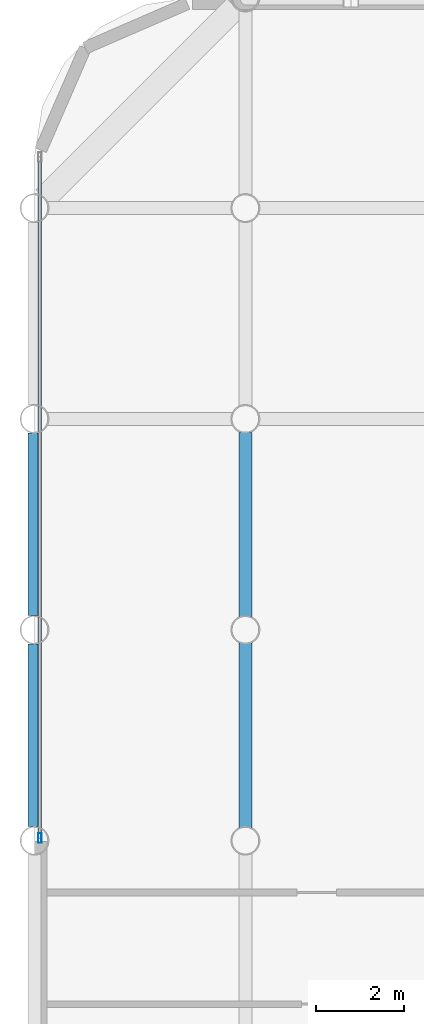
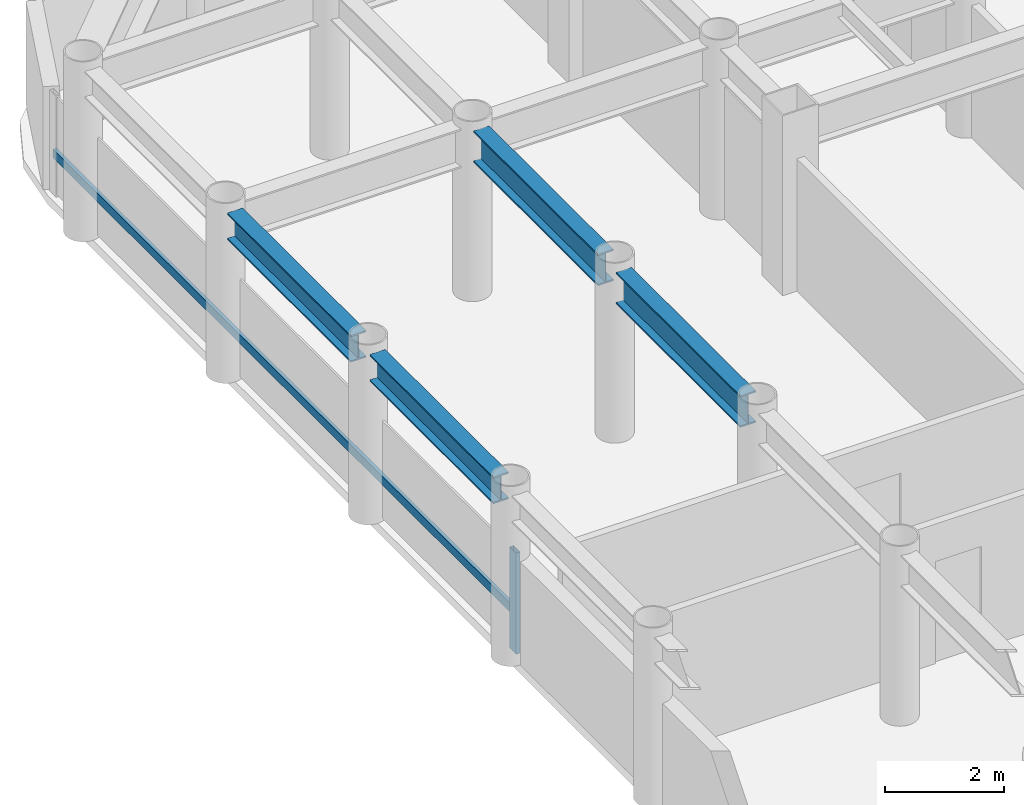
# One storey, part 4 of 20: 4 beams, 2 members, 1 element without a shape of its own.
"""IFC4 building model written with IfcOpenShell, lengths in metres."""

from ifc_helpers import new_model, si_unit, direction, frame, origin, origin_2d, place, context, subcontext, project, spatial, hollow_rectangle, i_section, extrude, material, layer, layer_set, material_profile, profile_set, type_object, element, aggregate, save


model = new_model("IFC4")

# Units and contexts
model_context = context("Model", 3, precision=1e-05, world=origin(), true_north=direction((0.0, 1.0)))
body_context = subcontext(model_context, "Body", "Model", "MODEL_VIEW")
ifc_project = project(units=[si_unit("LENGTHUNIT", "METRE"), si_unit("AREAUNIT", "SQUARE_METRE"), si_unit("VOLUMEUNIT", "CUBIC_METRE"), si_unit("PLANEANGLEUNIT", "RADIAN"), si_unit("MASSUNIT", "GRAM", prefix="KILO")], contexts=[model_context])

# Site, building, storey
site_placement = place(None, origin())
site = spatial("IfcSite", under=ifc_project, at=site_placement, CompositionType="ELEMENT")
building_placement = place(site_placement, origin())
building = spatial("IfcBuilding", under=site, at=building_placement, Name="Kallvorn Hotel Tower", CompositionType="ELEMENT")
storey_placement = place(building_placement, frame((0.0, 0.0, 161.800048828125)))
storey = spatial("IfcBuildingStorey", under=building, at=storey_placement, Name="L40", CompositionType="ELEMENT", Elevation=161.800048828125)

# Beams
ifc_material_1 = material(Name="Structural steel S355JR", Category="steel")
ifc_material_profile_1 = material_profile(ifc_material_1, i_section(OverallWidth=0.300048828125, OverallDepth=0.550048828125, WebThickness=0.014892578125, FlangeThickness=0.029052734375, at=origin_2d()), Name="HE 550 B")
ifc_profile_set_1 = profile_set([ifc_material_profile_1], Name="Structural steel S355JR")
beam_type_1 = type_object("IfcBeamType", Name="BM_HE550B", PredefinedType="SPANDREL", material=ifc_profile_set_1)
for number, where, z_axis, x_axis, name in (
    (1, (-33.60009765625, 0.320068359375, 3.244873046875), (0.0, 1.0, 0.0), (-1.0, 0.0, 0.0), "L41 Perimeter Spandrel 178"),
    (2, (-33.60009765625, 5.1201171875, 3.244873046875), (0.0, 1.0, 0.0), (-1.0, 0.0, 0.0), "L41 Perimeter Spandrel 179"),
):
    element("IfcBeam", number, at=place(storey_placement, frame(where, z_axis=z_axis, x_axis=x_axis)), inside=storey, type_object=beam_type_1, Name=name, PredefinedType="SPANDREL", context=body_context, shape_type="SweptSolid", body=[
        extrude(i_section(OverallWidth=0.300048828125, OverallDepth=0.550048828125, WebThickness=0.014892578125, FlangeThickness=0.029052734375, at=origin_2d()), origin(), (0.0, 0.0, 1.0), 4.159912109375),
    ])
ifc_material_2 = material(Name="Structural steel S355JR", Category="steel")
ifc_material_profile_2 = material_profile(ifc_material_2, i_section(OverallWidth=0.300048828125, OverallDepth=0.64990234375, WebThickness=0.01611328125, FlangeThickness=0.031005859375, at=origin_2d()), Name="HE 650 B")
ifc_profile_set_2 = profile_set([ifc_material_profile_2], Name="Structural steel S355JR")
beam_type_2 = type_object("IfcBeamType", Name="BM_HE650B", PredefinedType="BEAM", material=ifc_profile_set_2)
beam_1_placement = place(storey_placement, frame((-28.800048828125, 0.304931640625, 3.195068359375), z_axis=(0.0, 1.0, 0.0), x_axis=(-1.0, 0.0, 0.0)))
element("IfcBeam", 3, at=beam_1_placement, inside=storey, type_object=beam_type_2, Name="L41 Primary Y-Girder 78", PredefinedType="BEAM", context=body_context, shape_type="SweptSolid", body=[
    extrude(i_section(OverallWidth=0.300048828125, OverallDepth=0.64990234375, WebThickness=0.01611328125, FlangeThickness=0.031005859375, at=origin_2d()), origin(), (0.0, 0.0, 1.0), 4.190185546875),
])
beam_2_placement = place(storey_placement, frame((-28.800048828125, 5.10498046875, 3.195068359375), z_axis=(0.0, 1.0, 0.0), x_axis=(-1.0, 0.0, 0.0)))
element("IfcBeam", 4, at=beam_2_placement, inside=storey, type_object=beam_type_2, Name="L41 Primary Y-Girder 79", PredefinedType="BEAM", context=body_context, shape_type="SweptSolid", body=[
    extrude(i_section(OverallWidth=0.300048828125, OverallDepth=0.64990234375, WebThickness=0.01611328125, FlangeThickness=0.031005859375, at=origin_2d()), origin(), (0.0, 0.0, 1.0), 4.18994140625),
])

# Curtain wall, members
ifc_material_3 = material(Name="Thermally broken black-anodised aluminium AA 6063-T6", Category="aluminium")
ifc_layer = layer(ifc_material_3, 0.2099609375)
ifc_layer_set = layer_set([ifc_layer], Name="CW_SYS_4_HOTEL_MID")
curtain_wall_type = type_object("IfcCurtainWallType", Name="CW_SYS_4_HOTEL_MID", PredefinedType="USERDEFINED", material=ifc_layer_set)
curtain_wall_placement = place(storey_placement, origin())
curtain_wall = element("IfcCurtainWall", 5, at=curtain_wall_placement, inside=storey, type_object=curtain_wall_type, Name="L40 Dark-Glass Curtain Wall CW-L40-WN", ObjectType="UNITISED CURTAIN WALL", PredefinedType="USERDEFINED")
ifc_material_4 = material(Name="Thermally broken black-anodised aluminium AA 6063-T6", Category="aluminium")
ifc_material_profile_3 = material_profile(ifc_material_4, hollow_rectangle(XDim=0.080078125, YDim=0.219970703125, WallThickness=0.0048828125, at=origin_2d()), Name="MUL 220x80")
ifc_profile_set_3 = profile_set([ifc_material_profile_3], Name="Thermally broken black-anodised aluminium AA 6063-T6")
member_type_1 = type_object("IfcMemberType", Name="CW_MULLION_220x80", PredefinedType="MULLION", material=ifc_profile_set_3)
member_1_placement = place(storey_placement, frame((-33.47998046875, 0.06005859375, 0.02001953125), z_axis=(0.0, 0.0, 1.0), x_axis=(1.0, 0.0, 0.0)))
member_1 = element("IfcMember", 6, at=member_1_placement, type_object=member_type_1, Name="CW-L40-WN Mullion 00", PredefinedType="MULLION", context=body_context, shape_type="SweptSolid", body=[
    extrude(hollow_rectangle(XDim=0.080078125, YDim=0.219970703125, WallThickness=0.0048828125, at=origin_2d()), origin(), (0.0, 0.0, 1.0), 2.079833984375),
])
ifc_material_5 = material(Name="Thermally broken black-anodised aluminium AA 6063-T6", Category="aluminium")
ifc_material_profile_4 = material_profile(ifc_material_5, hollow_rectangle(XDim=0.070068359375, YDim=0.179931640625, WallThickness=0.00390625, at=origin_2d()), Name="TRN 180x70")
ifc_profile_set_4 = profile_set([ifc_material_profile_4], Name="Thermally broken black-anodised aluminium AA 6063-T6")
member_type_2 = type_object("IfcMemberType", Name="CW_TRANSOM_180x70", PredefinedType="USERDEFINED", material=ifc_profile_set_4)
member_2_placement = place(storey_placement, frame((-33.47998046875, 0.06005859375, 0.849853515625), z_axis=(0.0, 1.0, 0.0), x_axis=(-1.0, 0.0, 0.0)))
member_2 = element("IfcMember", 7, at=member_2_placement, type_object=member_type_2, Name="CW-L40-WN Transom 00M", ObjectType="TRANSOM", PredefinedType="USERDEFINED", context=body_context, shape_type="SweptSolid", body=[
    extrude(hollow_rectangle(XDim=0.070068359375, YDim=0.179931640625, WallThickness=0.00390625, at=origin_2d()), origin(), (0.0, 0.0, 1.0), 15.5),
])
aggregate(curtain_wall, [member_1, member_2])

save(model, "model.ifc")
